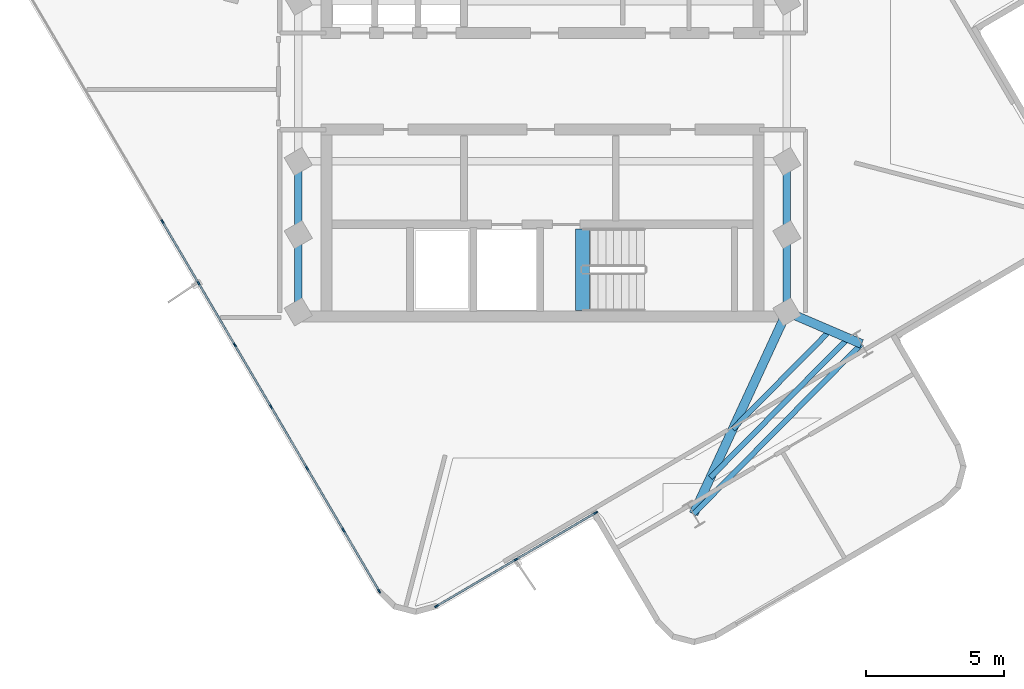
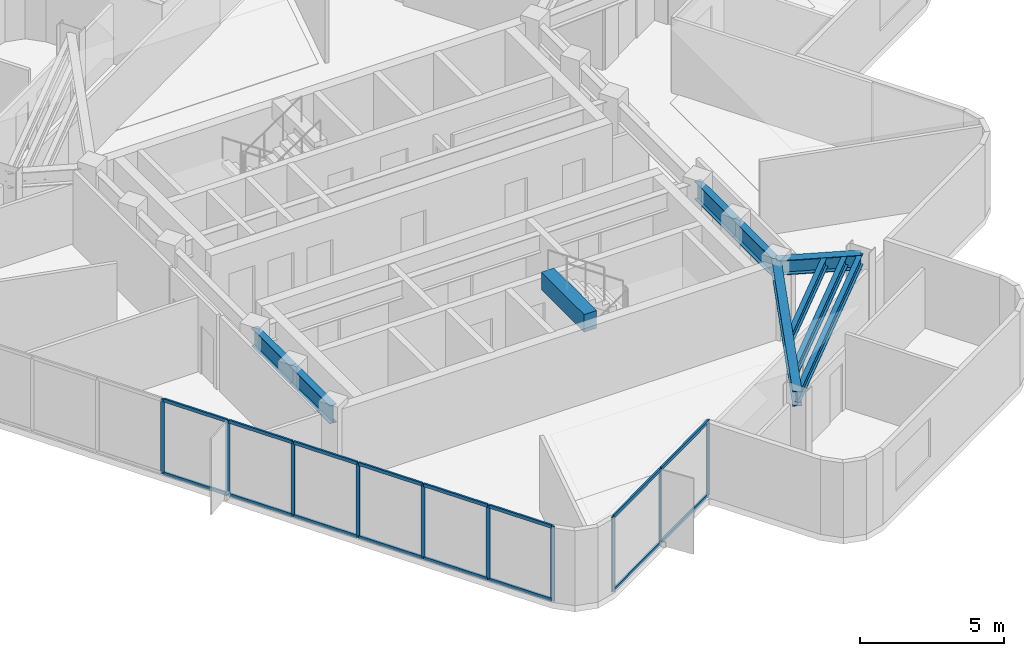
# One storey, part 2 of 9: 26 members, 10 beams, 2 elements without a shape of their own.
"""IFC4 building model written with IfcOpenShell, lengths in metres."""

from ifc_helpers import new_model, si_unit, direction, frame, origin, origin_2d, place, context, subcontext, project, spatial, rectangle, i_section, extrude, material, layer, layer_set, material_profile, profile_set, type_object, element, aggregate, save


model = new_model("IFC4")

# Units and contexts
model_context = context("Model", 3, precision=1e-05, world=origin(), true_north=direction((0.0, 1.0)))
body_context = subcontext(model_context, "Body", "Model", "MODEL_VIEW")
ifc_project = project(units=[si_unit("LENGTHUNIT", "METRE"), si_unit("AREAUNIT", "SQUARE_METRE"), si_unit("VOLUMEUNIT", "CUBIC_METRE"), si_unit("PLANEANGLEUNIT", "RADIAN"), si_unit("MASSUNIT", "GRAM", prefix="KILO")], contexts=[model_context])

# Site, building, storey
site_placement = place(None, origin())
site = spatial("IfcSite", under=ifc_project, at=site_placement, CompositionType="ELEMENT")
building_placement = place(site_placement, origin())
building = spatial("IfcBuilding", under=site, at=building_placement, Name="Solmarez Civic Tower", CompositionType="ELEMENT")
storey_placement = place(building_placement, frame((0.0, 0.0, 208.6201171875)))
storey = spatial("IfcBuildingStorey", under=building, at=storey_placement, Name="L55", CompositionType="ELEMENT", Elevation=208.6201171875)

# Beams
ifc_material_1 = material(Name="Steel S355", Category="steel")
ifc_material_profile_1 = material_profile(ifc_material_1, i_section(OverallWidth=0.19189453125, OverallDepth=0.462890625, WebThickness=0.010498046875, FlangeThickness=0.017578125, at=origin_2d()), Name="W18X60")
ifc_profile_set_1 = profile_set([ifc_material_profile_1], Name="Steel S355")
beam_type_1 = type_object("IfcBeamType", Name="BM-JS-W18X60", PredefinedType="JOIST", material=ifc_profile_set_1)
beam_1_placement = place(storey_placement, frame((5.468017578125, -15.6708984375, 2.927978515625), z_axis=(0.702766092364, 0.711420986072, 0.0), x_axis=(-0.711420986072, 0.702766092364, 0.0)))
element("IfcBeam", 1, at=beam_1_placement, inside=storey, type_object=beam_type_1, Name="L55 Secondary Floor Joist BM-L55-SA-T1", PredefinedType="JOIST", context=body_context, shape_type="SweptSolid", body=[
    extrude(i_section(OverallWidth=0.19189453125, OverallDepth=0.462890625, WebThickness=0.010498046875, FlangeThickness=0.017578125, at=origin_2d()), origin(), (0.0, 0.0, 1.0), 8.659912109375),
])
beam_2_placement = place(storey_placement, frame((6.887939453125, -12.595947265625, 2.927978515625), z_axis=(0.702816380081, 0.711371306625, 0.0), x_axis=(-0.711371306625, 0.702816380081, 0.0)))
element("IfcBeam", 2, at=beam_2_placement, inside=storey, type_object=beam_type_1, Name="L55 Secondary Floor Joist JS-L55-SA-M11", PredefinedType="JOIST", context=body_context, shape_type="SweptSolid", body=[
    extrude(i_section(OverallWidth=0.19189453125, OverallDepth=0.462890625, WebThickness=0.010498046875, FlangeThickness=0.017578125, at=origin_2d()), origin(), (0.0, 0.0, 1.0), 5.022705078125),
])
beam_3_placement = place(storey_placement, frame((6.076904296875, -14.35302734375, 2.927978515625), z_axis=(0.702726827997, 0.711459770622, 0.0), x_axis=(-0.711459770622, 0.702726827997, 0.0)))
element("IfcBeam", 3, at=beam_3_placement, inside=storey, type_object=beam_type_1, Name="L55 Secondary Floor Joist JS-L55-SA-M12", PredefinedType="JOIST", context=body_context, shape_type="SweptSolid", body=[
    extrude(i_section(OverallWidth=0.19189453125, OverallDepth=0.462890625, WebThickness=0.010498046875, FlangeThickness=0.017578125, at=origin_2d()), origin(), (0.0, 0.0, 1.0), 7.100830078125),
])
ifc_material_2 = material(Name="Concrete C50/60", Category="concrete")
ifc_material_profile_2 = material_profile(ifc_material_2, rectangle(XDim=0.5, YDim=0.75, at=origin_2d()), Name="RC500X750")
ifc_profile_set_2 = profile_set([ifc_material_profile_2], Name="Concrete C50/60")
beam_type_2 = type_object("IfcBeamType", Name="BM-PR-RC500X750", PredefinedType="BEAM", material=ifc_profile_set_2)
beam_4_placement = place(storey_placement, frame((1.449951171875, -8.300048828125, 3.052978515625), z_axis=(0.0, 1.0, 0.0), x_axis=(-1.0, 0.0, 0.0)))
element("IfcBeam", 4, at=beam_4_placement, inside=storey, type_object=beam_type_2, Name="L55 South Stair Threshold Beam", PredefinedType="BEAM", context=body_context, shape_type="SweptSolid", body=[
    extrude(rectangle(XDim=0.5, YDim=0.75, at=origin_2d()), origin(), (0.0, 0.0, 1.0), 2.9599609375),
])
ifc_material_profile_3 = material_profile(ifc_material_1, i_section(OverallWidth=0.327880859375, OverallDepth=0.6220703125, WebThickness=0.015380859375, FlangeThickness=0.0244140625, at=origin_2d()), Name="W24X131")
ifc_profile_set_3 = profile_set([ifc_material_profile_3], Name="Steel S355")
beam_type_3 = type_object("IfcBeamType", Name="BM-PR-W24X131", PredefinedType="BEAM", material=ifc_profile_set_3)
beam_5_placement = place(storey_placement, frame((8.85009765625, -8.35009765625, 2.848876953125), z_axis=(-0.419390280967, -0.907806032273, 0.0), x_axis=(0.907806032273, -0.419390280967, 0.0)))
element("IfcBeam", 5, at=beam_5_placement, inside=storey, type_object=beam_type_3, Name="L55 Primary Floor Beam BM-L55-SA-R1A", PredefinedType="BEAM", context=body_context, shape_type="SweptSolid", body=[
    extrude(i_section(OverallWidth=0.327880859375, OverallDepth=0.6220703125, WebThickness=0.015380859375, FlangeThickness=0.0244140625, at=origin_2d()), origin(), (0.0, 0.0, 1.0), 8.064208984375),
])
beam_6_placement = place(storey_placement, frame((8.85009765625, -8.35009765625, 2.848876953125), z_axis=(0.919007627325, -0.394239750557, 0.0), x_axis=(0.394239750557, 0.919007627325, 0.0)))
element("IfcBeam", 6, at=beam_6_placement, inside=storey, type_object=beam_type_3, Name="L55 Primary Floor Beam BM-L55-SA-R1B", PredefinedType="BEAM", context=body_context, shape_type="SweptSolid", body=[
    extrude(i_section(OverallWidth=0.327880859375, OverallDepth=0.6220703125, WebThickness=0.015380859375, FlangeThickness=0.0244140625, at=origin_2d()), origin(), (0.0, 0.0, 1.0), 2.942138671875),
])
ifc_material_profile_4 = material_profile(ifc_material_1, i_section(OverallWidth=0.26708984375, OverallDepth=0.761962890625, WebThickness=0.014404296875, FlangeThickness=0.021484375, at=origin_2d()), Name="W30X116")
ifc_profile_set_4 = profile_set([ifc_material_profile_4], Name="Steel S355")
beam_type_4 = type_object("IfcBeamType", Name="BM-PR-W30X116", PredefinedType="BEAM", material=ifc_profile_set_4)
beam_7_placement = place(storey_placement, frame((-8.85009765625, -8.35009765625, 2.77880859375), z_axis=(0.0, 1.0, 0.0), x_axis=(-1.0, 0.0, 0.0)))
element("IfcBeam", 7, at=beam_7_placement, inside=storey, type_object=beam_type_4, Name="L55 Primary Floor Beam BM-L55-HC12-HC1", PredefinedType="BEAM", context=body_context, shape_type="SweptSolid", body=[
    extrude(i_section(OverallWidth=0.26708984375, OverallDepth=0.761962890625, WebThickness=0.014404296875, FlangeThickness=0.021484375, at=origin_2d()), origin(), (0.0, 0.0, 1.0), 2.800048828125),
])
beam_8_placement = place(storey_placement, frame((-8.85009765625, -5.550048828125, 2.77880859375), z_axis=(0.0, 1.0, 0.0), x_axis=(-1.0, 0.0, 0.0)))
element("IfcBeam", 8, at=beam_8_placement, inside=storey, type_object=beam_type_4, Name="L55 Primary Floor Beam BM-L55-HC1-HC2", PredefinedType="BEAM", context=body_context, shape_type="SweptSolid", body=[
    extrude(i_section(OverallWidth=0.26708984375, OverallDepth=0.761962890625, WebThickness=0.014404296875, FlangeThickness=0.021484375, at=origin_2d()), origin(), (0.0, 0.0, 1.0), 2.650146484375),
])
beam_9_placement = place(storey_placement, frame((8.85009765625, -8.35009765625, 2.77880859375), z_axis=(0.0, 1.0, 0.0), x_axis=(-1.0, 0.0, 0.0)))
element("IfcBeam", 9, at=beam_9_placement, inside=storey, type_object=beam_type_4, Name="L55 Primary Floor Beam BM-L55-HC10-HC5", PredefinedType="BEAM", context=body_context, shape_type="SweptSolid", body=[
    extrude(i_section(OverallWidth=0.26708984375, OverallDepth=0.761962890625, WebThickness=0.014404296875, FlangeThickness=0.021484375, at=origin_2d()), origin(), (0.0, 0.0, 1.0), 2.800048828125),
])
beam_10_placement = place(storey_placement, frame((8.85009765625, -5.550048828125, 2.77880859375), z_axis=(0.0, 1.0, 0.0), x_axis=(-1.0, 0.0, 0.0)))
element("IfcBeam", 10, at=beam_10_placement, inside=storey, type_object=beam_type_4, Name="L55 Primary Floor Beam BM-L55-HC5-HC6", PredefinedType="BEAM", context=body_context, shape_type="SweptSolid", body=[
    extrude(i_section(OverallWidth=0.26708984375, OverallDepth=0.761962890625, WebThickness=0.014404296875, FlangeThickness=0.021484375, at=origin_2d()), origin(), (0.0, 0.0, 1.0), 2.650146484375),
])

# Curtain wall, members
ifc_material_3 = material(Name="Bronze Anodised Aluminium EN AW-6063 T6", Category="aluminium")
ifc_layer = layer(ifc_material_3, 0.1650390625)
ifc_layer_set = layer_set([ifc_layer], Name="Bronze Anodised Aluminium EN AW-6063 T6")
curtain_wall_type = type_object("IfcCurtainWallType", Name="CW-SYS-4", PredefinedType="NOTDEFINED", material=ifc_layer_set)
curtain_wall_1_placement = place(storey_placement, origin())
curtain_wall_1 = element("IfcCurtainWall", 11, at=curtain_wall_1_placement, inside=storey, type_object=curtain_wall_type, Name="L55 Stick-Built Curtain Wall 1", PredefinedType="NOTDEFINED")
ifc_material_profile_5 = material_profile(ifc_material_3, rectangle(XDim=0.06005859375, YDim=0.14990234375, at=origin_2d()), Name="CWM-60X150")
ifc_profile_set_5 = profile_set([ifc_material_profile_5], Name="Bronze Anodised Aluminium EN AW-6063 T6")
member_type_1 = type_object("IfcMemberType", Name="CWM-TYPE-4", PredefinedType="MULLION", material=ifc_profile_set_5)
member_1_placement = place(storey_placement, frame((1.922119140625, -15.627197265625, 0.0), z_axis=(0.0, 0.0, 1.0), x_axis=(0.505898384165, -0.862593081876, 0.0)))
member_1 = element("IfcMember", 12, at=member_1_placement, type_object=member_type_1, Name="CWS4 mullion 1", PredefinedType="MULLION", context=body_context, shape_type="SweptSolid", body=[
    extrude(rectangle(XDim=0.06005859375, YDim=0.14990234375, at=origin_2d()), origin(), (0.0, 0.0, 1.0), 3.159912109375),
])
member_2_placement = place(storey_placement, frame((-0.9599609375, -17.3173828125, 0.0), z_axis=(0.0, 0.0, 1.0), x_axis=(0.505898384165, -0.862593081876, 0.0)))
member_2 = element("IfcMember", 13, at=member_2_placement, type_object=member_type_1, Name="CWS4 mullion 2", PredefinedType="MULLION", context=body_context, shape_type="SweptSolid", body=[
    extrude(rectangle(XDim=0.06005859375, YDim=0.14990234375, at=origin_2d()), origin(), (0.0, 0.0, 1.0), 3.159912109375),
])
member_3_placement = place(storey_placement, frame((-3.842041015625, -19.0078125, 0.0), z_axis=(0.0, 0.0, 1.0), x_axis=(0.505898384165, -0.862593081876, 0.0)))
member_3 = element("IfcMember", 14, at=member_3_placement, type_object=member_type_1, Name="CWS4 mullion 3", PredefinedType="MULLION", context=body_context, shape_type="SweptSolid", body=[
    extrude(rectangle(XDim=0.06005859375, YDim=0.14990234375, at=origin_2d()), origin(), (0.0, 0.0, 1.0), 3.159912109375),
])

curtain_wall_2_placement = place(storey_placement, origin())
curtain_wall_2 = element("IfcCurtainWall", 15, at=curtain_wall_2_placement, inside=storey, type_object=curtain_wall_type, Name="L55 Stick-Built Curtain Wall 2", PredefinedType="NOTDEFINED")
member_4_placement = place(storey_placement, frame((-5.919189453125, -18.466064453125, 0.0), z_axis=(0.0, 0.0, 1.0), x_axis=(-0.862505824967, -0.506047134067, 0.0)))
member_4 = element("IfcMember", 16, at=member_4_placement, type_object=member_type_1, Name="CWS4 mullion 1", PredefinedType="MULLION", context=body_context, shape_type="SweptSolid", body=[
    extrude(rectangle(XDim=0.06005859375, YDim=0.14990234375, at=origin_2d()), origin(), (0.0, 0.0, 1.0), 3.159912109375),
])
member_5_placement = place(storey_placement, frame((-7.2158203125, -16.256103515625, 0.0), z_axis=(0.0, 0.0, 1.0), x_axis=(-0.862505824967, -0.506047134067, 0.0)))
member_5 = element("IfcMember", 17, at=member_5_placement, type_object=member_type_1, Name="CWS4 mullion 2", PredefinedType="MULLION", context=body_context, shape_type="SweptSolid", body=[
    extrude(rectangle(XDim=0.06005859375, YDim=0.14990234375, at=origin_2d()), origin(), (0.0, 0.0, 1.0), 3.159912109375),
])
member_6_placement = place(storey_placement, frame((-8.52783203125, -14.02001953125, 0.0), z_axis=(0.0, 0.0, 1.0), x_axis=(-0.862505824967, -0.506047134067, 0.0)))
member_6 = element("IfcMember", 18, at=member_6_placement, type_object=member_type_1, Name="CWS4 mullion 3", PredefinedType="MULLION", context=body_context, shape_type="SweptSolid", body=[
    extrude(rectangle(XDim=0.06005859375, YDim=0.14990234375, at=origin_2d()), origin(), (0.0, 0.0, 1.0), 3.159912109375),
])
member_7_placement = place(storey_placement, frame((-9.839599609375, -11.783935546875, 0.0), z_axis=(0.0, 0.0, 1.0), x_axis=(-0.862505824967, -0.506047134067, 0.0)))
member_7 = element("IfcMember", 19, at=member_7_placement, type_object=member_type_1, Name="CWS4 mullion 4", PredefinedType="MULLION", context=body_context, shape_type="SweptSolid", body=[
    extrude(rectangle(XDim=0.06005859375, YDim=0.14990234375, at=origin_2d()), origin(), (0.0, 0.0, 1.0), 3.159912109375),
])
member_8_placement = place(storey_placement, frame((-11.151611328125, -9.548095703125, 0.0), z_axis=(0.0, 0.0, 1.0), x_axis=(-0.862505824967, -0.506047134067, 0.0)))
member_8 = element("IfcMember", 20, at=member_8_placement, type_object=member_type_1, Name="CWS4 mullion 5", PredefinedType="MULLION", context=body_context, shape_type="SweptSolid", body=[
    extrude(rectangle(XDim=0.06005859375, YDim=0.14990234375, at=origin_2d()), origin(), (0.0, 0.0, 1.0), 3.159912109375),
])
member_9_placement = place(storey_placement, frame((-12.46337890625, -7.31201171875, 0.0), z_axis=(0.0, 0.0, 1.0), x_axis=(-0.862505824967, -0.506047134067, 0.0)))
member_9 = element("IfcMember", 21, at=member_9_placement, type_object=member_type_1, Name="CWS4 mullion 6", PredefinedType="MULLION", context=body_context, shape_type="SweptSolid", body=[
    extrude(rectangle(XDim=0.06005859375, YDim=0.14990234375, at=origin_2d()), origin(), (0.0, 0.0, 1.0), 3.159912109375),
])
member_10_placement = place(storey_placement, frame((-13.775390625, -5.075927734375, 0.0), z_axis=(0.0, 0.0, 1.0), x_axis=(-0.862505824967, -0.506047134067, 0.0)))
member_10 = element("IfcMember", 22, at=member_10_placement, type_object=member_type_1, Name="CWS4 mullion 7", PredefinedType="MULLION", context=body_context, shape_type="SweptSolid", body=[
    extrude(rectangle(XDim=0.06005859375, YDim=0.14990234375, at=origin_2d()), origin(), (0.0, 0.0, 1.0), 3.159912109375),
])

# Member
ifc_material_profile_6 = material_profile(ifc_material_3, rectangle(XDim=0.070068359375, YDim=0.139892578125, at=origin_2d()), Name="CWT-70X140")
ifc_profile_set_6 = profile_set([ifc_material_profile_6], Name="Bronze Anodised Aluminium EN AW-6063 T6")
member_type_2 = type_object("IfcMemberType", Name="CWT-TYPE-1", PredefinedType="USERDEFINED", material=ifc_profile_set_6)
member_11_placement = place(storey_placement, frame((1.896240234375, -15.642333984375, 0.034912109375), z_axis=(-0.862597207585, -0.505891349467, 0.0), x_axis=(0.505891349467, -0.862597207585, 0.0)))
member_11 = element("IfcMember", 23, at=member_11_placement, type_object=member_type_2, Name="CWS4 transom 1.1", ObjectType="TRANSOM", PredefinedType="USERDEFINED", context=body_context, shape_type="SweptSolid", body=[
    extrude(rectangle(XDim=0.070068359375, YDim=0.139892578125, at=origin_2d()), origin(), (0.0, 0.0, 1.0), 3.28125),
])

member_12_placement = place(storey_placement, frame((1.896240234375, -15.642333984375, 3.125), z_axis=(-0.862597207585, -0.505891349467, 0.0), x_axis=(0.505891349467, -0.862597207585, 0.0)))
member_12 = element("IfcMember", 24, at=member_12_placement, type_object=member_type_2, Name="CWS4 transom 1.2", ObjectType="TRANSOM", PredefinedType="USERDEFINED", context=body_context, shape_type="SweptSolid", body=[
    extrude(rectangle(XDim=0.070068359375, YDim=0.139892578125, at=origin_2d()), origin(), (0.0, 0.0, 1.0), 3.28125),
])

member_13_placement = place(storey_placement, frame((-0.98583984375, -17.332763671875, 0.034912109375), z_axis=(-0.862597207585, -0.505891349467, 0.0), x_axis=(0.505891349467, -0.862597207585, 0.0)))
member_13 = element("IfcMember", 25, at=member_13_placement, type_object=member_type_2, Name="CWS4 transom 2.1", ObjectType="TRANSOM", PredefinedType="USERDEFINED", context=body_context, shape_type="SweptSolid", body=[
    extrude(rectangle(XDim=0.070068359375, YDim=0.139892578125, at=origin_2d()), origin(), (0.0, 0.0, 1.0), 3.28125),
])

member_14_placement = place(storey_placement, frame((-0.98583984375, -17.332763671875, 3.125), z_axis=(-0.862597207585, -0.505891349467, 0.0), x_axis=(0.505891349467, -0.862597207585, 0.0)))
member_14 = element("IfcMember", 26, at=member_14_placement, type_object=member_type_2, Name="CWS4 transom 2.2", ObjectType="TRANSOM", PredefinedType="USERDEFINED", context=body_context, shape_type="SweptSolid", body=[
    extrude(rectangle(XDim=0.070068359375, YDim=0.139892578125, at=origin_2d()), origin(), (0.0, 0.0, 1.0), 3.28125),
])

aggregate(curtain_wall_1, [member_1, member_2, member_3, member_11, member_12, member_13, member_14])

member_15_placement = place(storey_placement, frame((-5.934326171875, -18.440185546875, 0.034912109375), z_axis=(-0.506077516632, 0.86248799827, 0.0), x_axis=(-0.86248799827, -0.506077516632, 0.0)))
member_15 = element("IfcMember", 27, at=member_15_placement, type_object=member_type_2, Name="CWS4 transom 1.1", ObjectType="TRANSOM", PredefinedType="USERDEFINED", context=body_context, shape_type="SweptSolid", body=[
    extrude(rectangle(XDim=0.070068359375, YDim=0.139892578125, at=origin_2d()), origin(), (0.0, 0.0, 1.0), 2.502197265625),
])

member_16_placement = place(storey_placement, frame((-5.934326171875, -18.440185546875, 3.125), z_axis=(-0.506077516632, 0.86248799827, 0.0), x_axis=(-0.86248799827, -0.506077516632, 0.0)))
member_16 = element("IfcMember", 28, at=member_16_placement, type_object=member_type_2, Name="CWS4 transom 1.2", ObjectType="TRANSOM", PredefinedType="USERDEFINED", context=body_context, shape_type="SweptSolid", body=[
    extrude(rectangle(XDim=0.070068359375, YDim=0.139892578125, at=origin_2d()), origin(), (0.0, 0.0, 1.0), 2.502197265625),
])

member_17_placement = place(storey_placement, frame((-7.231201171875, -16.230224609375, 0.034912109375), z_axis=(-0.506021305161, 0.862520978715, 0.0), x_axis=(-0.862520978715, -0.506021305161, 0.0)))
member_17 = element("IfcMember", 29, at=member_17_placement, type_object=member_type_2, Name="CWS4 transom 2.1", ObjectType="TRANSOM", PredefinedType="USERDEFINED", context=body_context, shape_type="SweptSolid", body=[
    extrude(rectangle(XDim=0.070068359375, YDim=0.139892578125, at=origin_2d()), origin(), (0.0, 0.0, 1.0), 2.532470703125),
])

member_18_placement = place(storey_placement, frame((-7.231201171875, -16.230224609375, 3.125), z_axis=(-0.506021305161, 0.862520978715, 0.0), x_axis=(-0.862520978715, -0.506021305161, 0.0)))
member_18 = element("IfcMember", 30, at=member_18_placement, type_object=member_type_2, Name="CWS4 transom 2.2", ObjectType="TRANSOM", PredefinedType="USERDEFINED", context=body_context, shape_type="SweptSolid", body=[
    extrude(rectangle(XDim=0.070068359375, YDim=0.139892578125, at=origin_2d()), origin(), (0.0, 0.0, 1.0), 2.532470703125),
])

member_19_placement = place(storey_placement, frame((-8.54296875, -13.994140625, 0.034912109375), z_axis=(-0.506021305161, 0.862520978715, 0.0), x_axis=(-0.862520978715, -0.506021305161, 0.0)))
member_19 = element("IfcMember", 31, at=member_19_placement, type_object=member_type_2, Name="CWS4 transom 3.1", ObjectType="TRANSOM", PredefinedType="USERDEFINED", context=body_context, shape_type="SweptSolid", body=[
    extrude(rectangle(XDim=0.070068359375, YDim=0.139892578125, at=origin_2d()), origin(), (0.0, 0.0, 1.0), 2.532470703125),
])

member_20_placement = place(storey_placement, frame((-8.54296875, -13.994140625, 3.125), z_axis=(-0.506021305161, 0.862520978715, 0.0), x_axis=(-0.862520978715, -0.506021305161, 0.0)))
member_20 = element("IfcMember", 32, at=member_20_placement, type_object=member_type_2, Name="CWS4 transom 3.2", ObjectType="TRANSOM", PredefinedType="USERDEFINED", context=body_context, shape_type="SweptSolid", body=[
    extrude(rectangle(XDim=0.070068359375, YDim=0.139892578125, at=origin_2d()), origin(), (0.0, 0.0, 1.0), 2.532470703125),
])

member_21_placement = place(storey_placement, frame((-9.85498046875, -11.758056640625, 0.034912109375), z_axis=(-0.506063383694, 0.862496290823, 0.0), x_axis=(-0.862496290823, -0.506063383694, 0.0)))
member_21 = element("IfcMember", 33, at=member_21_placement, type_object=member_type_2, Name="CWS4 transom 4.1", ObjectType="TRANSOM", PredefinedType="USERDEFINED", context=body_context, shape_type="SweptSolid", body=[
    extrude(rectangle(XDim=0.070068359375, YDim=0.139892578125, at=origin_2d()), origin(), (0.0, 0.0, 1.0), 2.5322265625),
])

member_22_placement = place(storey_placement, frame((-9.85498046875, -11.758056640625, 3.125), z_axis=(-0.506063383694, 0.862496290823, 0.0), x_axis=(-0.862496290823, -0.506063383694, 0.0)))
member_22 = element("IfcMember", 34, at=member_22_placement, type_object=member_type_2, Name="CWS4 transom 4.2", ObjectType="TRANSOM", PredefinedType="USERDEFINED", context=body_context, shape_type="SweptSolid", body=[
    extrude(rectangle(XDim=0.070068359375, YDim=0.139892578125, at=origin_2d()), origin(), (0.0, 0.0, 1.0), 2.5322265625),
])

member_23_placement = place(storey_placement, frame((-11.166748046875, -9.522216796875, 0.034912109375), z_axis=(-0.506021305161, 0.862520978715, 0.0), x_axis=(-0.862520978715, -0.506021305161, 0.0)))
member_23 = element("IfcMember", 35, at=member_23_placement, type_object=member_type_2, Name="CWS4 transom 5.1", ObjectType="TRANSOM", PredefinedType="USERDEFINED", context=body_context, shape_type="SweptSolid", body=[
    extrude(rectangle(XDim=0.070068359375, YDim=0.139892578125, at=origin_2d()), origin(), (0.0, 0.0, 1.0), 2.532470703125),
])

member_24_placement = place(storey_placement, frame((-11.166748046875, -9.522216796875, 3.125), z_axis=(-0.506021305161, 0.862520978715, 0.0), x_axis=(-0.862520978715, -0.506021305161, 0.0)))
member_24 = element("IfcMember", 36, at=member_24_placement, type_object=member_type_2, Name="CWS4 transom 5.2", ObjectType="TRANSOM", PredefinedType="USERDEFINED", context=body_context, shape_type="SweptSolid", body=[
    extrude(rectangle(XDim=0.070068359375, YDim=0.139892578125, at=origin_2d()), origin(), (0.0, 0.0, 1.0), 2.532470703125),
])

member_25_placement = place(storey_placement, frame((-12.478759765625, -7.2861328125, 0.034912109375), z_axis=(-0.506021305161, 0.862520978715, 0.0), x_axis=(-0.862520978715, -0.506021305161, 0.0)))
member_25 = element("IfcMember", 37, at=member_25_placement, type_object=member_type_2, Name="CWS4 transom 6.1", ObjectType="TRANSOM", PredefinedType="USERDEFINED", context=body_context, shape_type="SweptSolid", body=[
    extrude(rectangle(XDim=0.070068359375, YDim=0.139892578125, at=origin_2d()), origin(), (0.0, 0.0, 1.0), 2.532470703125),
])

member_26_placement = place(storey_placement, frame((-12.478759765625, -7.2861328125, 3.125), z_axis=(-0.506021305161, 0.862520978715, 0.0), x_axis=(-0.862520978715, -0.506021305161, 0.0)))
member_26 = element("IfcMember", 38, at=member_26_placement, type_object=member_type_2, Name="CWS4 transom 6.2", ObjectType="TRANSOM", PredefinedType="USERDEFINED", context=body_context, shape_type="SweptSolid", body=[
    extrude(rectangle(XDim=0.070068359375, YDim=0.139892578125, at=origin_2d()), origin(), (0.0, 0.0, 1.0), 2.532470703125),
])

aggregate(curtain_wall_2, [member_4, member_5, member_6, member_7, member_8, member_9, member_10, member_15, member_16, member_17, member_18, member_19, member_20, member_21, member_22, member_23, member_24, member_25, member_26])

save(model, "model.ifc")
